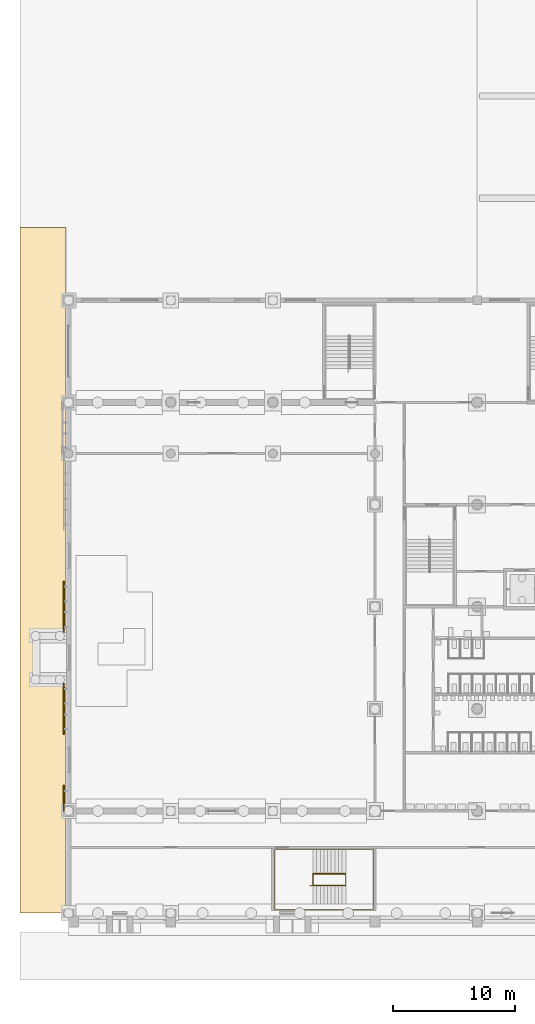
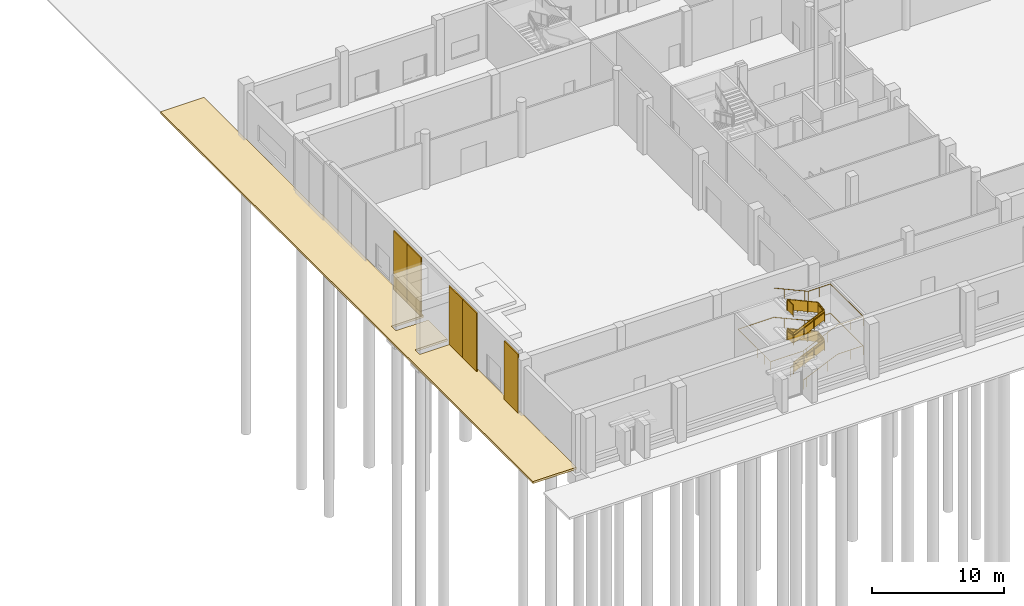
# One storey, part 59 of 74: 5 shading devices, 3 railings, 1 covering.
"""IFC4 building model written with IfcOpenShell, lengths in metres."""

from ifc_helpers import new_model, si_unit, direction, frame, origin, origin_2d, place, context, subcontext, project, spatial, polyline, rectangle, circle, outline, extrude, material, layer, layer_set, type_object, element, save


model = new_model("IFC4")

# Units and contexts
model_context = context("Model", 3, precision=1e-05, world=origin(), true_north=direction((0.0, 1.0)))
body_context = subcontext(model_context, "Body", "Model", "MODEL_VIEW")
ifc_project = project(units=[si_unit("LENGTHUNIT", "METRE"), si_unit("AREAUNIT", "SQUARE_METRE"), si_unit("VOLUMEUNIT", "CUBIC_METRE"), si_unit("PLANEANGLEUNIT", "RADIAN"), si_unit("MASSUNIT", "GRAM", prefix="KILO")], contexts=[model_context])

# Site, building, storey
site_placement = place(None, origin())
site = spatial("IfcSite", under=ifc_project, at=site_placement, CompositionType="ELEMENT")
building_placement = place(site_placement, origin())
building = spatial("IfcBuilding", under=site, at=building_placement, Name="Rulbaag Community and Learning Centre", CompositionType="ELEMENT")
storey_placement = place(building_placement, origin())
storey = spatial("IfcBuildingStorey", under=building, at=storey_placement, Name="L00", CompositionType="ELEMENT", Elevation=0.0)

# Railings
ifc_material_1 = material(Name="Galvanised mild steel", Category="steel")
railing_type_1 = type_object("IfcRailingType", Name="GR-1100 GUARD 1100", PredefinedType="GUARDRAIL", material=ifc_material_1)
railing_1_placement = place(storey_placement, frame((20.10009765625, 2.304931640625, 0.135009765625)))
element("IfcRailing", 1, at=railing_1_placement, inside=storey, type_object=railing_type_1, Name="Guard SH9 L00 G", PredefinedType="GUARDRAIL", context=body_context, shape_type="SweptSolid", body=[
    extrude(circle(Radius=0.02490234375, at=origin_2d()), frame((0.0, 0.0, 1.0751953125), z_axis=(0.911907618724, 0.0, 0.410395534713), x_axis=(0.0, 1.0, 0.0)), (0.0, 0.0, 1.0), 2.960693359375),
    extrude(circle(Radius=0.02490234375, at=origin_2d()), frame((2.699951171875, 0.0, 2.2900390625), z_axis=(0.0, 0.989289738746, 0.145965108198), x_axis=(-1.0, 0.0, 0.0)), (0.0, 0.0, 1.0), 0.925048828125),
    extrude(circle(Radius=0.02490234375, at=origin_2d()), frame((2.699951171875, 0.9150390625, 2.42529296875), z_axis=(-0.91193847666, 0.0, 0.410326960834), x_axis=(0.0, -1.0, 0.0)), (0.0, 0.0, 1.0), 2.960693359375),
    extrude(circle(Radius=0.02490234375, at=origin_2d()), frame((0.0, 0.9150390625, 3.64013671875), z_axis=(0.0, -0.989289738746, 0.145965108198), x_axis=(1.0, 0.0, 0.0)), (0.0, 0.0, 1.0), 0.925048828125),
    extrude(circle(Radius=0.02490234375, at=origin_2d()), frame((0.0, 0.0, 3.77490234375), z_axis=(0.911907618724, 0.0, 0.410395534713), x_axis=(0.0, 1.0, 0.0)), (0.0, 0.0, 1.0), 2.960693359375),
    extrude(circle(Radius=0.02490234375, at=origin_2d()), frame((2.699951171875, 0.0, 4.990234375), z_axis=(0.0, 0.989289738746, 0.145965108198), x_axis=(-1.0, 0.0, 0.0)), (0.0, 0.0, 1.0), 0.925048828125),
    extrude(circle(Radius=0.02490234375, at=origin_2d()), frame((2.699951171875, 0.9150390625, 5.125), z_axis=(-0.91193847666, 0.0, 0.410326960834), x_axis=(0.0, -1.0, 0.0)), (0.0, 0.0, 1.0), 2.960693359375),
    extrude(circle(Radius=0.02490234375, at=origin_2d()), frame((0.0, 0.9150390625, 6.33984375), z_axis=(0.0, -1.0, 0.0), x_axis=(1.0, 0.0, 0.0)), (0.0, 0.0, 1.0), 0.9150390625),
    extrude(circle(Radius=0.02001953125, at=origin_2d()), origin(), (0.0, 0.0, 1.0), 1.050048828125),
    extrude(circle(Radius=0.02001953125, at=origin_2d()), frame((0.89990234375, 0.0, 0.405029296875)), (0.0, 0.0, 1.0), 1.050048828125),
    extrude(circle(Radius=0.02001953125, at=origin_2d()), frame((1.800048828125, 0.0, 0.81005859375)), (0.0, 0.0, 1.0), 1.050048828125),
    extrude(circle(Radius=0.02001953125, at=origin_2d()), frame((2.699951171875, 0.0, 1.215087890625)), (0.0, 0.0, 1.0), 1.050048828125),
    extrude(circle(Radius=0.02001953125, at=origin_2d()), frame((2.699951171875, 0.9150390625, 1.35009765625)), (0.0, 0.0, 1.0), 1.050048828125),
    extrude(circle(Radius=0.02001953125, at=origin_2d()), frame((1.800048828125, 0.9150390625, 1.755126953125)), (0.0, 0.0, 1.0), 1.050048828125),
    extrude(circle(Radius=0.02001953125, at=origin_2d()), frame((0.89990234375, 0.9150390625, 2.159912109375)), (0.0, 0.0, 1.0), 1.050048828125),
    extrude(circle(Radius=0.02001953125, at=origin_2d()), frame((0.0, 0.9150390625, 2.56494140625)), (0.0, 0.0, 1.0), 1.050048828125),
    extrude(circle(Radius=0.02001953125, at=origin_2d()), frame((0.0, 0.0, 2.699951171875)), (0.0, 0.0, 1.0), 1.050048828125),
    extrude(circle(Radius=0.02001953125, at=origin_2d()), frame((0.89990234375, 0.0, 3.10498046875)), (0.0, 0.0, 1.0), 1.050048828125),
    extrude(circle(Radius=0.02001953125, at=origin_2d()), frame((1.800048828125, 0.0, 3.510009765625)), (0.0, 0.0, 1.0), 1.050048828125),
    extrude(circle(Radius=0.02001953125, at=origin_2d()), frame((2.699951171875, 0.0, 3.9150390625)), (0.0, 0.0, 1.0), 1.050048828125),
    extrude(circle(Radius=0.02001953125, at=origin_2d()), frame((2.699951171875, 0.9150390625, 4.050048828125)), (0.0, 0.0, 1.0), 1.050048828125),
    extrude(circle(Radius=0.02001953125, at=origin_2d()), frame((1.800048828125, 0.9150390625, 4.455078125)), (0.0, 0.0, 1.0), 1.050048828125),
    extrude(circle(Radius=0.02001953125, at=origin_2d()), frame((0.89990234375, 0.9150390625, 4.85986328125)), (0.0, 0.0, 1.0), 1.050048828125),
    extrude(circle(Radius=0.02001953125, at=origin_2d()), frame((0.0, 0.9150390625, 5.264892578125)), (0.0, 0.0, 1.0), 1.050048828125),
    extrude(circle(Radius=0.02001953125, at=origin_2d()), frame((0.0, 0.0, 5.264892578125)), (0.0, 0.0, 1.0), 1.050048828125),
    extrude(outline(polyline([(0.0, 0.0), (2.699951171875, 1.215087890625), (2.699951171875, 2.1650390625), (0.0, 0.949951171875), (0.0, 0.0)])), frame((0.0, 0.0048828125, 0.10009765625), z_axis=(0.0, -1.0, 0.0), x_axis=(1.0, 0.0, 0.0)), (0.0, 0.0, 1.0), 0.010009765625),
    extrude(outline(polyline([(0.0, 0.0), (0.9150390625, 0.135009765625), (0.9150390625, 1.0849609375), (0.0, 0.949951171875), (0.0, 0.0)])), frame((2.69482421875, 0.0, 1.315185546875), z_axis=(1.0, 0.0, 0.0), x_axis=(0.0, 1.0, 0.0)), (0.0, 0.0, 1.0), 0.010009765625),
    extrude(outline(polyline([(0.0, 0.0), (2.699951171875, 1.21484375), (2.699951171875, 2.164794921875), (0.0, 0.949951171875), (0.0, 0.0)])), frame((2.699951171875, 0.91015625, 1.4501953125), z_axis=(0.0, 1.0, 0.0), x_axis=(-1.0, 0.0, 0.0)), (0.0, 0.0, 1.0), 0.010009765625),
    extrude(outline(polyline([(0.0, 0.0), (0.9150390625, 0.135009765625), (0.9150390625, 1.0849609375), (0.0, 0.949951171875), (0.0, 0.0)])), frame((0.0048828125, 0.9150390625, 2.6650390625), z_axis=(-1.0, 0.0, 0.0), x_axis=(0.0, -1.0, 0.0)), (0.0, 0.0, 1.0), 0.010009765625),
    extrude(outline(polyline([(0.0, 0.0), (2.699951171875, 1.215087890625), (2.699951171875, 2.1650390625), (0.0, 0.949951171875), (0.0, 0.0)])), frame((0.0, 0.0048828125, 2.800048828125), z_axis=(0.0, -1.0, 0.0), x_axis=(1.0, 0.0, 0.0)), (0.0, 0.0, 1.0), 0.010009765625),
    extrude(outline(polyline([(0.0, 0.0), (0.9150390625, 0.135009765625), (0.9150390625, 1.0849609375), (0.0, 0.949951171875), (0.0, 0.0)])), frame((2.69482421875, 0.0, 4.01513671875), z_axis=(1.0, 0.0, 0.0), x_axis=(0.0, 1.0, 0.0)), (0.0, 0.0, 1.0), 0.010009765625),
    extrude(outline(polyline([(0.0, 0.0), (2.699951171875, 1.21484375), (2.699951171875, 2.164794921875), (0.0, 0.949951171875), (0.0, 0.0)])), frame((2.699951171875, 0.91015625, 4.150146484375), z_axis=(0.0, 1.0, 0.0), x_axis=(-1.0, 0.0, 0.0)), (0.0, 0.0, 1.0), 0.010009765625),
    extrude(outline(polyline([(0.0, 0.0), (0.9150390625, 0.0), (0.9150390625, 0.949951171875), (0.0, 0.949951171875), (0.0, 0.0)])), frame((0.0048828125, 0.9150390625, 5.364990234375), z_axis=(-1.0, 0.0, 0.0), x_axis=(0.0, -1.0, 0.0)), (0.0, 0.0, 1.0), 0.010009765625),
])
ifc_material_2 = material(Name="Stainless steel grade 316", Category="steel")
railing_type_2 = type_object("IfcRailingType", Name="HR-900 HANDRAIL 900", PredefinedType="HANDRAIL", material=ifc_material_2)
railing_2_placement = place(storey_placement, frame((19.800048828125, 0.284912109375, 0.0)))
element("IfcRailing", 2, at=railing_2_placement, inside=storey, type_object=railing_type_2, Name="Handrail SH9 L00 O", PredefinedType="HANDRAIL", context=body_context, shape_type="SweptSolid", body=[
    extrude(circle(Radius=0.024169921875, at=origin_2d()), frame((0.0, 0.0, 0.875732421875), z_axis=(0.911935388494, 0.0, 0.410333824115), x_axis=(0.0, 1.0, 0.0)), (0.0, 0.0, 1.0), 0.3291015625),
    extrude(circle(Radius=0.024169921875, at=origin_2d()), frame((0.300048828125, 0.0, 1.0107421875), z_axis=(0.911907618724, 0.0, 0.410395534713), x_axis=(0.0, 1.0, 0.0)), (0.0, 0.0, 1.0), 2.960693359375),
    extrude(circle(Radius=0.024169921875, at=origin_2d()), frame((3.0, 0.0, 2.225830078125), z_axis=(1.0, 0.0, 0.0), x_axis=(0.0, 1.0, 0.0)), (0.0, 0.0, 1.0), 2.239990234375),
    extrude(circle(Radius=0.024169921875, at=origin_2d()), frame((5.239990234375, 0.0, 2.225830078125), z_axis=(0.0, 1.0, 0.0), x_axis=(-1.0, 0.0, 0.0)), (0.0, 0.0, 1.0), 4.955078125),
    extrude(circle(Radius=0.024169921875, at=origin_2d()), frame((5.239990234375, 4.955078125, 2.225830078125), z_axis=(-1.0, 0.0, 0.0), x_axis=(0.0, -1.0, 0.0)), (0.0, 0.0, 1.0), 1.93994140625),
    extrude(circle(Radius=0.024169921875, at=origin_2d()), frame((3.300048828125, 4.955078125, 2.225830078125), z_axis=(-0.911935388494, 0.0, 0.410333824115), x_axis=(0.0, -1.0, 0.0)), (0.0, 0.0, 1.0), 0.3291015625),
    extrude(circle(Radius=0.024169921875, at=origin_2d()), frame((3.0, 4.955078125, 2.36083984375), z_axis=(-0.91193847666, 0.0, 0.410326960834), x_axis=(0.0, -1.0, 0.0)), (0.0, 0.0, 1.0), 2.960693359375),
    extrude(circle(Radius=0.024169921875, at=origin_2d()), frame((0.300048828125, 4.955078125, 3.57568359375), z_axis=(-1.0, 0.0, 0.0), x_axis=(0.0, -1.0, 0.0)), (0.0, 0.0, 1.0), 3.14013671875),
    extrude(circle(Radius=0.024169921875, at=origin_2d()), frame((-2.840087890625, 4.955078125, 3.57568359375), z_axis=(0.0, -1.0, 0.0), x_axis=(1.0, 0.0, 0.0)), (0.0, 0.0, 1.0), 4.955078125),
    extrude(circle(Radius=0.024169921875, at=origin_2d()), frame((-2.840087890625, 0.0, 3.57568359375), z_axis=(1.0, 0.0, 0.0), x_axis=(0.0, 1.0, 0.0)), (0.0, 0.0, 1.0), 2.840087890625),
    extrude(circle(Radius=0.024169921875, at=origin_2d()), frame((0.0, 0.0, 3.57568359375), z_axis=(0.911935388494, 0.0, 0.410333824115), x_axis=(0.0, 1.0, 0.0)), (0.0, 0.0, 1.0), 0.3291015625),
    extrude(circle(Radius=0.024169921875, at=origin_2d()), frame((0.300048828125, 0.0, 3.710693359375), z_axis=(0.911907618724, 0.0, 0.410395534713), x_axis=(0.0, 1.0, 0.0)), (0.0, 0.0, 1.0), 2.960693359375),
    extrude(circle(Radius=0.024169921875, at=origin_2d()), frame((3.0, 0.0, 4.92578125), z_axis=(1.0, 0.0, 0.0), x_axis=(0.0, 1.0, 0.0)), (0.0, 0.0, 1.0), 2.239990234375),
    extrude(circle(Radius=0.024169921875, at=origin_2d()), frame((5.239990234375, 0.0, 4.92578125), z_axis=(0.0, 1.0, 0.0), x_axis=(-1.0, 0.0, 0.0)), (0.0, 0.0, 1.0), 4.955078125),
    extrude(circle(Radius=0.024169921875, at=origin_2d()), frame((5.239990234375, 4.955078125, 4.92578125), z_axis=(-1.0, 0.0, 0.0), x_axis=(0.0, -1.0, 0.0)), (0.0, 0.0, 1.0), 1.93994140625),
    extrude(circle(Radius=0.024169921875, at=origin_2d()), frame((3.300048828125, 4.955078125, 4.92578125), z_axis=(-0.911935388494, 0.0, 0.410333824115), x_axis=(0.0, -1.0, 0.0)), (0.0, 0.0, 1.0), 0.3291015625),
    extrude(circle(Radius=0.024169921875, at=origin_2d()), frame((3.0, 4.955078125, 5.060791015625), z_axis=(-0.91193847666, 0.0, 0.410326960834), x_axis=(0.0, -1.0, 0.0)), (0.0, 0.0, 1.0), 2.960693359375),
    extrude(circle(Radius=0.008056640625, at=origin_2d()), origin(), (0.0, 0.0, 1.0), 0.8515625),
    extrude(circle(Radius=0.008056640625, at=origin_2d()), frame((0.300048828125, 0.0, 0.135009765625)), (0.0, 0.0, 1.0), 0.8515625),
    extrude(circle(Radius=0.008056640625, at=origin_2d()), frame((1.199951171875, 0.0, 0.5400390625)), (0.0, 0.0, 1.0), 0.8515625),
    extrude(circle(Radius=0.008056640625, at=origin_2d()), frame((2.10009765625, 0.0, 0.945068359375)), (0.0, 0.0, 1.0), 0.8515625),
    extrude(circle(Radius=0.008056640625, at=origin_2d()), frame((3.0, 0.0, 1.35009765625)), (0.0, 0.0, 1.0), 0.8515625),
    extrude(circle(Radius=0.008056640625, at=origin_2d()), frame((4.1201171875, 0.0, 1.35009765625)), (0.0, 0.0, 1.0), 0.8515625),
    extrude(circle(Radius=0.008056640625, at=origin_2d()), frame((5.239990234375, 0.0, 1.35009765625)), (0.0, 0.0, 1.0), 0.8515625),
    extrude(circle(Radius=0.008056640625, at=origin_2d()), frame((5.239990234375, 0.990966796875, 1.35009765625)), (0.0, 0.0, 1.0), 0.8515625),
    extrude(circle(Radius=0.008056640625, at=origin_2d()), frame((5.239990234375, 1.98193359375, 1.35009765625)), (0.0, 0.0, 1.0), 0.8515625),
    extrude(circle(Radius=0.008056640625, at=origin_2d()), frame((5.239990234375, 2.97314453125, 1.35009765625)), (0.0, 0.0, 1.0), 0.8515625),
    extrude(circle(Radius=0.008056640625, at=origin_2d()), frame((5.239990234375, 3.964111328125, 1.35009765625)), (0.0, 0.0, 1.0), 0.8515625),
    extrude(circle(Radius=0.008056640625, at=origin_2d()), frame((5.239990234375, 4.955078125, 1.35009765625)), (0.0, 0.0, 1.0), 0.8515625),
    extrude(circle(Radius=0.008056640625, at=origin_2d()), frame((4.27001953125, 4.955078125, 1.35009765625)), (0.0, 0.0, 1.0), 0.8515625),
    extrude(circle(Radius=0.008056640625, at=origin_2d()), frame((3.300048828125, 4.955078125, 1.35009765625)), (0.0, 0.0, 1.0), 0.8515625),
    extrude(circle(Radius=0.008056640625, at=origin_2d()), frame((3.0, 4.955078125, 1.485107421875)), (0.0, 0.0, 1.0), 0.8515625),
    extrude(circle(Radius=0.008056640625, at=origin_2d()), frame((2.10009765625, 4.955078125, 1.89013671875)), (0.0, 0.0, 1.0), 0.8515625),
    extrude(circle(Radius=0.008056640625, at=origin_2d()), frame((1.199951171875, 4.955078125, 2.294921875)), (0.0, 0.0, 1.0), 0.8515625),
    extrude(circle(Radius=0.008056640625, at=origin_2d()), frame((0.300048828125, 4.955078125, 2.699951171875)), (0.0, 0.0, 1.0), 0.8515625),
    extrude(circle(Radius=0.008056640625, at=origin_2d()), frame((-0.74658203125, 4.955078125, 2.699951171875)), (0.0, 0.0, 1.0), 0.8515625),
    extrude(circle(Radius=0.008056640625, at=origin_2d()), frame((-1.79345703125, 4.955078125, 2.699951171875)), (0.0, 0.0, 1.0), 0.8515625),
    extrude(circle(Radius=0.008056640625, at=origin_2d()), frame((-2.840087890625, 4.955078125, 2.699951171875)), (0.0, 0.0, 1.0), 0.8515625),
    extrude(circle(Radius=0.008056640625, at=origin_2d()), frame((-2.840087890625, 3.964111328125, 2.699951171875)), (0.0, 0.0, 1.0), 0.8515625),
    extrude(circle(Radius=0.008056640625, at=origin_2d()), frame((-2.840087890625, 2.97314453125, 2.699951171875)), (0.0, 0.0, 1.0), 0.8515625),
    extrude(circle(Radius=0.008056640625, at=origin_2d()), frame((-2.840087890625, 1.98193359375, 2.699951171875)), (0.0, 0.0, 1.0), 0.8515625),
    extrude(circle(Radius=0.008056640625, at=origin_2d()), frame((-2.840087890625, 0.990966796875, 2.699951171875)), (0.0, 0.0, 1.0), 0.8515625),
    extrude(circle(Radius=0.008056640625, at=origin_2d()), frame((-2.840087890625, 0.0, 2.699951171875)), (0.0, 0.0, 1.0), 0.8515625),
    extrude(circle(Radius=0.008056640625, at=origin_2d()), frame((-1.893310546875, 0.0, 2.699951171875)), (0.0, 0.0, 1.0), 0.8515625),
    extrude(circle(Radius=0.008056640625, at=origin_2d()), frame((-0.94677734375, 0.0, 2.699951171875)), (0.0, 0.0, 1.0), 0.8515625),
    extrude(circle(Radius=0.008056640625, at=origin_2d()), frame((0.0, 0.0, 2.699951171875)), (0.0, 0.0, 1.0), 0.8515625),
    extrude(circle(Radius=0.008056640625, at=origin_2d()), frame((0.300048828125, 0.0, 2.8349609375)), (0.0, 0.0, 1.0), 0.8515625),
    extrude(circle(Radius=0.008056640625, at=origin_2d()), frame((1.199951171875, 0.0, 3.239990234375)), (0.0, 0.0, 1.0), 0.8515625),
    extrude(circle(Radius=0.008056640625, at=origin_2d()), frame((2.10009765625, 0.0, 3.64501953125)), (0.0, 0.0, 1.0), 0.8515625),
    extrude(circle(Radius=0.008056640625, at=origin_2d()), frame((3.0, 0.0, 4.050048828125)), (0.0, 0.0, 1.0), 0.8515625),
    extrude(circle(Radius=0.008056640625, at=origin_2d()), frame((4.1201171875, 0.0, 4.050048828125)), (0.0, 0.0, 1.0), 0.8515625),
    extrude(circle(Radius=0.008056640625, at=origin_2d()), frame((5.239990234375, 0.0, 4.050048828125)), (0.0, 0.0, 1.0), 0.8515625),
    extrude(circle(Radius=0.008056640625, at=origin_2d()), frame((5.239990234375, 0.990966796875, 4.050048828125)), (0.0, 0.0, 1.0), 0.8515625),
    extrude(circle(Radius=0.008056640625, at=origin_2d()), frame((5.239990234375, 1.98193359375, 4.050048828125)), (0.0, 0.0, 1.0), 0.8515625),
    extrude(circle(Radius=0.008056640625, at=origin_2d()), frame((5.239990234375, 2.97314453125, 4.050048828125)), (0.0, 0.0, 1.0), 0.8515625),
    extrude(circle(Radius=0.008056640625, at=origin_2d()), frame((5.239990234375, 3.964111328125, 4.050048828125)), (0.0, 0.0, 1.0), 0.8515625),
    extrude(circle(Radius=0.008056640625, at=origin_2d()), frame((5.239990234375, 4.955078125, 4.050048828125)), (0.0, 0.0, 1.0), 0.8515625),
    extrude(circle(Radius=0.008056640625, at=origin_2d()), frame((4.27001953125, 4.955078125, 4.050048828125)), (0.0, 0.0, 1.0), 0.8515625),
    extrude(circle(Radius=0.008056640625, at=origin_2d()), frame((3.300048828125, 4.955078125, 4.050048828125)), (0.0, 0.0, 1.0), 0.8515625),
    extrude(circle(Radius=0.008056640625, at=origin_2d()), frame((3.0, 4.955078125, 4.18505859375)), (0.0, 0.0, 1.0), 0.8515625),
    extrude(circle(Radius=0.008056640625, at=origin_2d()), frame((2.10009765625, 4.955078125, 4.590087890625)), (0.0, 0.0, 1.0), 0.8515625),
    extrude(circle(Radius=0.008056640625, at=origin_2d()), frame((1.199951171875, 4.955078125, 4.994873046875)), (0.0, 0.0, 1.0), 0.8515625),
    extrude(circle(Radius=0.008056640625, at=origin_2d()), frame((0.300048828125, 4.955078125, 5.39990234375)), (0.0, 0.0, 1.0), 0.8515625),
])
railing_3_placement = place(storey_placement, frame((19.800048828125, 2.235107421875, 0.0)))
element("IfcRailing", 3, at=railing_3_placement, inside=storey, type_object=railing_type_2, Name="Handrail SH9 L00 I", PredefinedType="HANDRAIL", context=body_context, shape_type="SweptSolid", body=[
    extrude(circle(Radius=0.024169921875, at=origin_2d()), frame((0.0, 0.0, 0.875732421875), z_axis=(0.911935388494, 0.0, 0.410333824115), x_axis=(0.0, 1.0, 0.0)), (0.0, 0.0, 1.0), 0.3291015625),
    extrude(circle(Radius=0.024169921875, at=origin_2d()), frame((0.300048828125, 0.0, 1.0107421875), z_axis=(0.911907618724, 0.0, 0.410395534713), x_axis=(0.0, 1.0, 0.0)), (0.0, 0.0, 1.0), 2.960693359375),
    extrude(circle(Radius=0.024169921875, at=origin_2d()), frame((3.0, 0.0, 2.225830078125), z_axis=(0.0, 0.991909852157, 0.126944260181), x_axis=(-1.0, 0.0, 0.0)), (0.0, 0.0, 1.0), 1.0634765625),
    extrude(circle(Radius=0.024169921875, at=origin_2d()), frame((3.0, 1.054931640625, 2.36083984375), z_axis=(-0.91193847666, 0.0, 0.410326960834), x_axis=(0.0, -1.0, 0.0)), (0.0, 0.0, 1.0), 2.960693359375),
    extrude(circle(Radius=0.024169921875, at=origin_2d()), frame((0.300048828125, 1.054931640625, 3.57568359375), z_axis=(0.0, -0.991909852157, 0.126944260181), x_axis=(1.0, 0.0, 0.0)), (0.0, 0.0, 1.0), 1.0634765625),
    extrude(circle(Radius=0.024169921875, at=origin_2d()), frame((0.300048828125, 0.0, 3.710693359375), z_axis=(0.911907618724, 0.0, 0.410395534713), x_axis=(0.0, 1.0, 0.0)), (0.0, 0.0, 1.0), 2.960693359375),
    extrude(circle(Radius=0.024169921875, at=origin_2d()), frame((3.0, 0.0, 4.92578125), z_axis=(0.0, 0.991909852157, 0.126944260181), x_axis=(-1.0, 0.0, 0.0)), (0.0, 0.0, 1.0), 1.0634765625),
    extrude(circle(Radius=0.024169921875, at=origin_2d()), frame((3.0, 1.054931640625, 5.060791015625), z_axis=(-0.91193847666, 0.0, 0.410326960834), x_axis=(0.0, -1.0, 0.0)), (0.0, 0.0, 1.0), 2.960693359375),
    extrude(circle(Radius=0.008056640625, at=origin_2d()), origin(), (0.0, 0.0, 1.0), 0.8515625),
    extrude(circle(Radius=0.008056640625, at=origin_2d()), frame((0.300048828125, 0.0, 0.135009765625)), (0.0, 0.0, 1.0), 0.8515625),
    extrude(circle(Radius=0.008056640625, at=origin_2d()), frame((1.199951171875, 0.0, 0.5400390625)), (0.0, 0.0, 1.0), 0.8515625),
    extrude(circle(Radius=0.008056640625, at=origin_2d()), frame((2.10009765625, 0.0, 0.945068359375)), (0.0, 0.0, 1.0), 0.8515625),
    extrude(circle(Radius=0.008056640625, at=origin_2d()), frame((3.0, 0.0, 1.35009765625)), (0.0, 0.0, 1.0), 0.8515625),
    extrude(circle(Radius=0.008056640625, at=origin_2d()), frame((3.0, 1.054931640625, 1.485107421875)), (0.0, 0.0, 1.0), 0.8515625),
    extrude(circle(Radius=0.008056640625, at=origin_2d()), frame((2.10009765625, 1.054931640625, 1.89013671875)), (0.0, 0.0, 1.0), 0.8515625),
    extrude(circle(Radius=0.008056640625, at=origin_2d()), frame((1.199951171875, 1.054931640625, 2.294921875)), (0.0, 0.0, 1.0), 0.8515625),
    extrude(circle(Radius=0.008056640625, at=origin_2d()), frame((0.300048828125, 1.054931640625, 2.699951171875)), (0.0, 0.0, 1.0), 0.8515625),
    extrude(circle(Radius=0.008056640625, at=origin_2d()), frame((0.300048828125, 0.0, 2.8349609375)), (0.0, 0.0, 1.0), 0.8515625),
    extrude(circle(Radius=0.008056640625, at=origin_2d()), frame((1.199951171875, 0.0, 3.239990234375)), (0.0, 0.0, 1.0), 0.8515625),
    extrude(circle(Radius=0.008056640625, at=origin_2d()), frame((2.10009765625, 0.0, 3.64501953125)), (0.0, 0.0, 1.0), 0.8515625),
    extrude(circle(Radius=0.008056640625, at=origin_2d()), frame((3.0, 0.0, 4.050048828125)), (0.0, 0.0, 1.0), 0.8515625),
    extrude(circle(Radius=0.008056640625, at=origin_2d()), frame((3.0, 1.054931640625, 4.18505859375)), (0.0, 0.0, 1.0), 0.8515625),
    extrude(circle(Radius=0.008056640625, at=origin_2d()), frame((2.10009765625, 1.054931640625, 4.590087890625)), (0.0, 0.0, 1.0), 0.8515625),
    extrude(circle(Radius=0.008056640625, at=origin_2d()), frame((1.199951171875, 1.054931640625, 4.994873046875)), (0.0, 0.0, 1.0), 0.8515625),
    extrude(circle(Radius=0.008056640625, at=origin_2d()), frame((0.300048828125, 1.054931640625, 5.39990234375)), (0.0, 0.0, 1.0), 0.8515625),
])

# Shading devices
ifc_material_3 = material(Name="Concrete M40", Category="concrete")
ifc_layer_1 = layer(ifc_material_3, 0.10009765625)
ifc_layer_set_1 = layer_set([ifc_layer_1], Name="JS-100")
shading_device_type = type_object("IfcShadingDeviceType", Name="JS-100", PredefinedType="SHUTTER", material=ifc_layer_set_1)
for number, where, z_axis, x_axis, name in (
    (4, (-0.39990234375, 9.449951171875, 0.0), (0.0, 0.0, 1.0), (1.0, 0.0, 0.0), "Jaali screen"),
    (5, (-0.39990234375, 15.75, 0.0), (0.0, 0.0, 1.0), (1.0, 0.0, 0.0), "Jaali screen"),
    (6, (-0.39990234375, 17.85009765625, 0.0), (0.0, 0.0, 1.0), (1.0, 0.0, 0.0), "Jaali screen"),
    (7, (-0.39990234375, 24.14990234375, 0.0), (0.0, 0.0, 1.0), (1.0, 0.0, 0.0), "Jaali screen"),
    (8, (-0.39990234375, 26.25, 0.0), (0.0, 0.0, 1.0), (1.0, 0.0, 0.0), "Jaali screen"),
):
    element("IfcShadingDevice", number, at=place(storey_placement, frame(where, z_axis=z_axis, x_axis=x_axis)), inside=storey, type_object=shading_device_type, Name=name, PredefinedType="SHUTTER", context=body_context, shape_type="SweptSolid", body=[
        extrude(rectangle(XDim=0.10009765625, YDim=2.10009765625, at=origin_2d()), origin(), (0.0, 0.0, 1.0), 5.39990234375),
    ])

# Covering
ifc_material_4 = material(Name="Concrete M30", Category="concrete")
ifc_layer_2 = layer(ifc_material_4, 0.199951171875)
ifc_layer_set_2 = layer_set([ifc_layer_2], Name="PV-200")
covering_type = type_object("IfcCoveringType", Name="PV-200", PredefinedType="USERDEFINED", material=ifc_layer_set_2)
covering_placement = place(storey_placement, frame((0.0, 0.0, -0.199951171875)))
element("IfcCovering", 9, at=covering_placement, inside=storey, type_object=covering_type, Name="External paving", ObjectType="ROADWAY", PredefinedType="USERDEFINED", context=body_context, shape_type="SweptSolid", body=[
    extrude(outline(polyline([(-0.199951171875, 56.39990234375), (-0.199951171875, 50.39990234375), (-0.199951171875, 23.14990234375), (-2.97509765625, 23.14990234375), (-2.97998046875, 23.14990234375), (-2.985107421875, 23.14892578125), (-2.989990234375, 23.14794921875), (-2.993896484375, 23.14599609375), (-2.9990234375, 23.14404296875), (-3.0029296875, 23.14208984375), (-3.007080078125, 23.138916015625), (-3.010009765625, 23.135009765625), (-3.013916015625, 23.132080078125), (-3.01708984375, 23.1279296875), (-3.01904296875, 23.1240234375), (-3.02099609375, 23.118896484375), (-3.02294921875, 23.114990234375), (-3.02392578125, 23.110107421875), (-3.02490234375, 23.10498046875), (-3.02490234375, 23.10009765625), (-3.02490234375, 22.5), (-3.02490234375, 22.4951171875), (-3.02392578125, 22.489990234375), (-3.02294921875, 22.485107421875), (-3.02099609375, 22.48095703125), (-3.01904296875, 22.47607421875), (-3.01708984375, 22.471923828125), (-3.013916015625, 22.468017578125), (-3.010009765625, 22.465087890625), (-3.007080078125, 22.4609375), (-3.0029296875, 22.4580078125), (-2.9990234375, 22.4560546875), (-2.993896484375, 22.4541015625), (-2.989990234375, 22.451904296875), (-2.985107421875, 22.450927734375), (-2.97998046875, 22.449951171875), (-2.97509765625, 22.449951171875), (-0.199951171875, 22.449951171875), (-0.199951171875, 19.550048828125), (-2.97509765625, 19.550048828125), (-2.97998046875, 19.550048828125), (-2.985107421875, 19.549072265625), (-2.989990234375, 19.548095703125), (-2.993896484375, 19.5458984375), (-2.9990234375, 19.5439453125), (-3.0029296875, 19.5419921875), (-3.007080078125, 19.5390625), (-3.010009765625, 19.534912109375), (-3.013916015625, 19.531982421875), (-3.01708984375, 19.528076171875), (-3.01904296875, 19.52392578125), (-3.02099609375, 19.51904296875), (-3.02294921875, 19.514892578125), (-3.02392578125, 19.510009765625), (-3.02490234375, 19.5048828125), (-3.02490234375, 19.5), (-3.02490234375, 18.89990234375), (-3.02490234375, 18.89501953125), (-3.02392578125, 18.889892578125), (-3.02294921875, 18.885009765625), (-3.02099609375, 18.881103515625), (-3.01904296875, 18.8759765625), (-3.01708984375, 18.8720703125), (-3.013916015625, 18.867919921875), (-3.010009765625, 18.864990234375), (-3.007080078125, 18.861083984375), (-3.0029296875, 18.85791015625), (-2.9990234375, 18.85595703125), (-2.993896484375, 18.85400390625), (-2.989990234375, 18.85205078125), (-2.985107421875, 18.85107421875), (-2.97998046875, 18.85009765625), (-2.97509765625, 18.85009765625), (-0.199951171875, 18.85009765625), (-0.199951171875, 0.0), (-4.0, 0.0), (-4.0, 56.39990234375), (-0.199951171875, 56.39990234375)])), origin(), (0.0, 0.0, 1.0), 0.199951171875),
])

save(model, "model.ifc")
